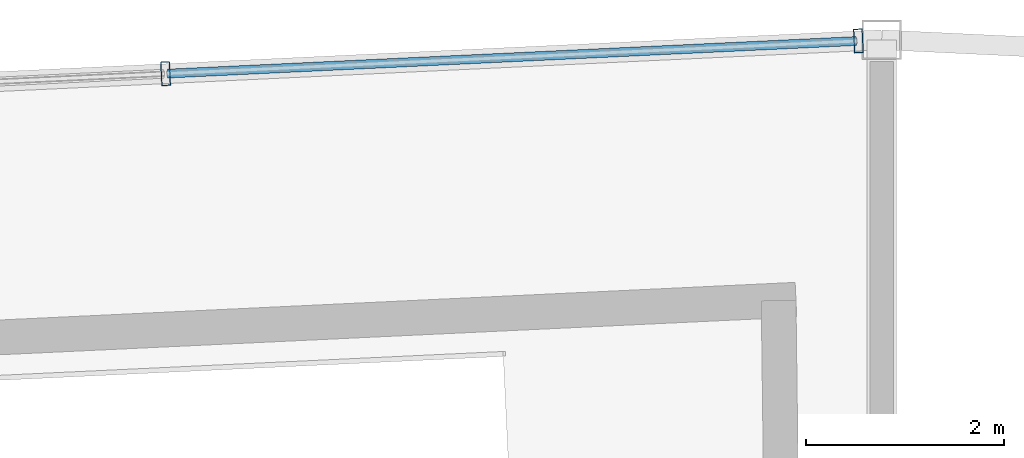
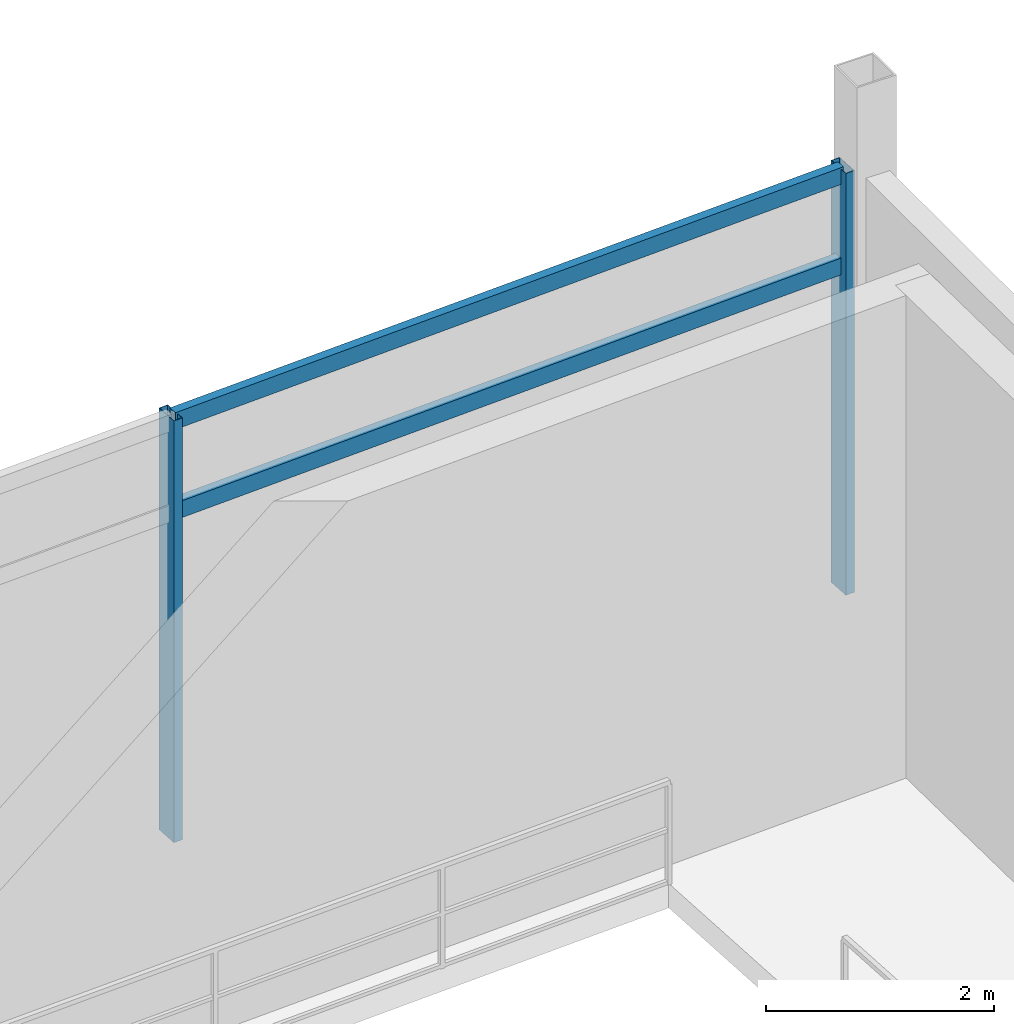
# One storey, part 62 of 86: 4 members, 1 element without a shape of its own.
"""IFC4 building model written with IfcOpenShell, lengths in metres."""

from ifc_helpers import new_model, si_unit, direction, frame, origin, origin_2d, place, context, subcontext, project, spatial, hollow_rectangle, extrude, material, layer, layer_set, material_profile, profile_set, type_object, element, aggregate, save


model = new_model("IFC4")

# Units and contexts
model_context = context("Model", 3, precision=1e-05, world=origin(), true_north=direction((0.0, 1.0)))
body_context = subcontext(model_context, "Body", "Model", "MODEL_VIEW")
ifc_project = project(units=[si_unit("LENGTHUNIT", "METRE"), si_unit("AREAUNIT", "SQUARE_METRE"), si_unit("VOLUMEUNIT", "CUBIC_METRE"), si_unit("PLANEANGLEUNIT", "RADIAN"), si_unit("MASSUNIT", "GRAM", prefix="KILO")], contexts=[model_context])

# Site, building, storey
site_placement = place(None, origin())
site = spatial("IfcSite", under=ifc_project, at=site_placement, CompositionType="ELEMENT")
building_placement = place(site_placement, origin())
building = spatial("IfcBuilding", under=site, at=building_placement, Name="Kazemori Nagisa Stadium", CompositionType="ELEMENT")
storey_placement = place(building_placement, frame((0.0, 0.0, 31.280029296875)))
storey = spatial("IfcBuildingStorey", under=building, at=storey_placement, Name="L06", CompositionType="ELEMENT", Elevation=31.280029296875)

# Curtain wall, members
ifc_material_1 = material(Name="Anodised aluminium 6063-T5", Category="aluminium")
ifc_layer = layer(ifc_material_1, 0.239990234375, Name="Anodised aluminium 6063-T5", Category="aluminium")
ifc_layer_set = layer_set([ifc_layer], Name="Anodised aluminium 6063-T5")
curtain_wall_type = type_object("IfcCurtainWallType", Name="CW_L06R3_105", PredefinedType="USERDEFINED", material=ifc_layer_set)
curtain_wall_placement = place(storey_placement, origin())
curtain_wall = element("IfcCurtainWall", 1, at=curtain_wall_placement, inside=storey, type_object=curtain_wall_type, Name="Unitised curtain wall CW-L06R3-105 L06", ObjectType="UNITISED CURTAIN WALL", PredefinedType="USERDEFINED")
ifc_material_2 = material(Name="Aluminium 6063-T5 anodised", Category="aluminium")
ifc_material_profile_1 = material_profile(ifc_material_2, hollow_rectangle(XDim=0.090087890625, YDim=0.239990234375, WallThickness=0.0048828125, at=origin_2d()), Name="ALU-MULL-90x240x5")
ifc_profile_set_1 = profile_set([ifc_material_profile_1], Name="Aluminium 6063-T5 anodised")
member_type_1 = type_object("IfcMemberType", Name="Mullion_M03", PredefinedType="MULLION", material=ifc_profile_set_1)
member_1_placement = place(storey_placement, frame((122.765380859375, 187.989013671875, 0.0), z_axis=(0.0, 0.0, 1.0), x_axis=(-0.998884022476, -0.047230388971, 0.0)))
member_1 = element("IfcMember", 2, at=member_1_placement, type_object=member_type_1, Name="Curtain wall mullion CW-L06R3-105-M1", PredefinedType="MULLION", context=body_context, shape_type="SweptSolid", body=[
    extrude(hollow_rectangle(XDim=0.090087890625, YDim=0.239990234375, WallThickness=0.0048828125, at=origin_2d()), origin(), (0.0, 0.0, 1.0), 4.510009765625),
])
member_2_placement = place(storey_placement, frame((115.779296875, 187.65869140625, 0.0), z_axis=(0.0, 0.0, 1.0), x_axis=(-0.998884022476, -0.047230388971, 0.0)))
member_2 = element("IfcMember", 3, at=member_2_placement, type_object=member_type_1, Name="Curtain wall mullion CW-L06R3-105-M2", PredefinedType="MULLION", context=body_context, shape_type="SweptSolid", body=[
    extrude(hollow_rectangle(XDim=0.090087890625, YDim=0.239990234375, WallThickness=0.0048828125, at=origin_2d()), origin(), (0.0, 0.0, 1.0), 4.510009765625),
])
ifc_material_profile_2 = material_profile(ifc_material_2, hollow_rectangle(XDim=0.090087890625, YDim=0.179931640625, WallThickness=0.0048828125, at=origin_2d()), Name="ALU-TRAN-90x180x5")
ifc_profile_set_2 = profile_set([ifc_material_profile_2], Name="Aluminium 6063-T5 anodised")
member_type_2 = type_object("IfcMemberType", Name="Transom_T03", PredefinedType="USERDEFINED", material=ifc_profile_set_2)
member_3_placement = place(storey_placement, frame((122.745361328125, 187.988037109375, 3.47265625), z_axis=(-0.99888286335, -0.047254897163, 0.0), x_axis=(0.047254897163, -0.99888286335, 0.0)))
member_3 = element("IfcMember", 4, at=member_3_placement, type_object=member_type_2, Name="Curtain wall transom CW-L06R3-105-T1-mid", ObjectType="TRANSOM", PredefinedType="USERDEFINED", context=body_context, shape_type="SweptSolid", body=[
    extrude(hollow_rectangle(XDim=0.090087890625, YDim=0.179931640625, WallThickness=0.0048828125, at=origin_2d()), origin(), (0.0, 0.0, 1.0), 6.9541015625),
])
member_4_placement = place(storey_placement, frame((122.745361328125, 187.988037109375, 4.43994140625), z_axis=(-0.99888286335, -0.047254897163, 0.0), x_axis=(0.047254897163, -0.99888286335, 0.0)))
member_4 = element("IfcMember", 5, at=member_4_placement, type_object=member_type_2, Name="Curtain wall transom CW-L06R3-105-T1-head", ObjectType="TRANSOM", PredefinedType="USERDEFINED", context=body_context, shape_type="SweptSolid", body=[
    extrude(hollow_rectangle(XDim=0.090087890625, YDim=0.179931640625, WallThickness=0.0048828125, at=origin_2d()), origin(), (0.0, 0.0, 1.0), 6.9541015625),
])
aggregate(curtain_wall, [member_1, member_2, member_3, member_4])

save(model, "model.ifc")
